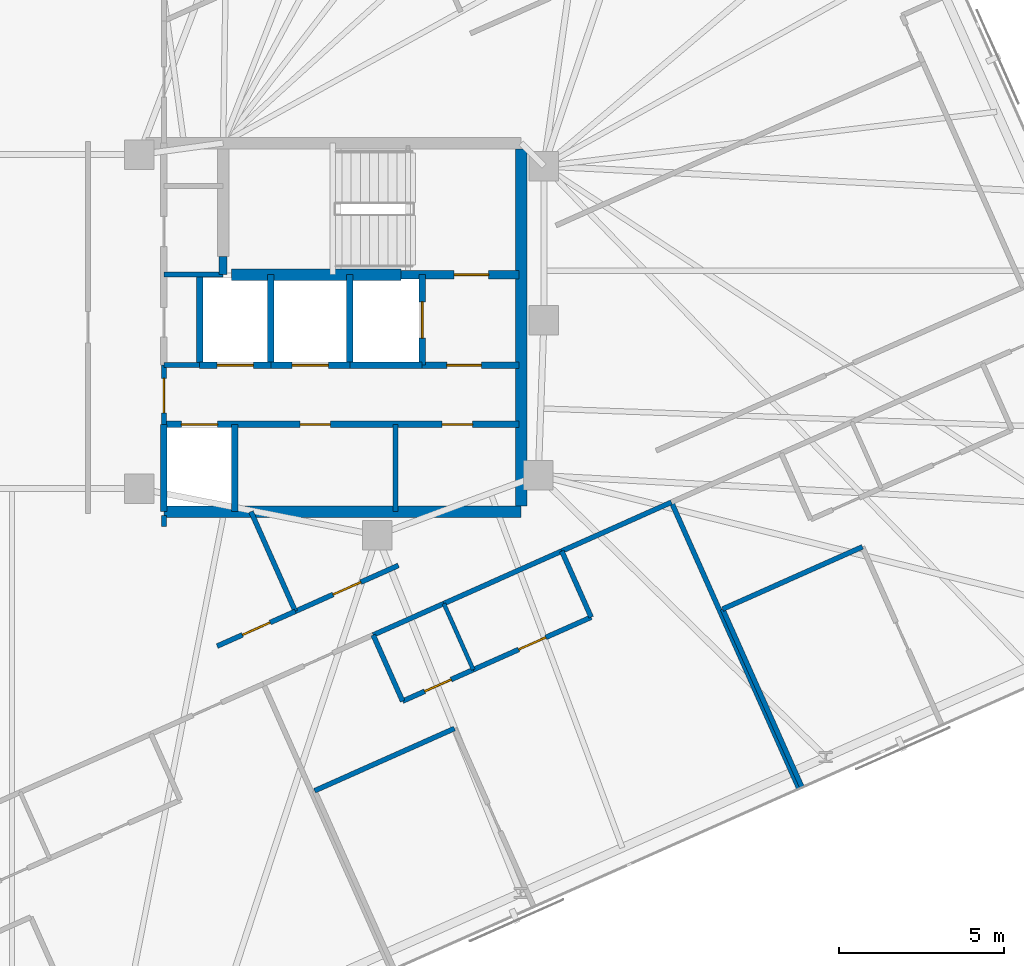
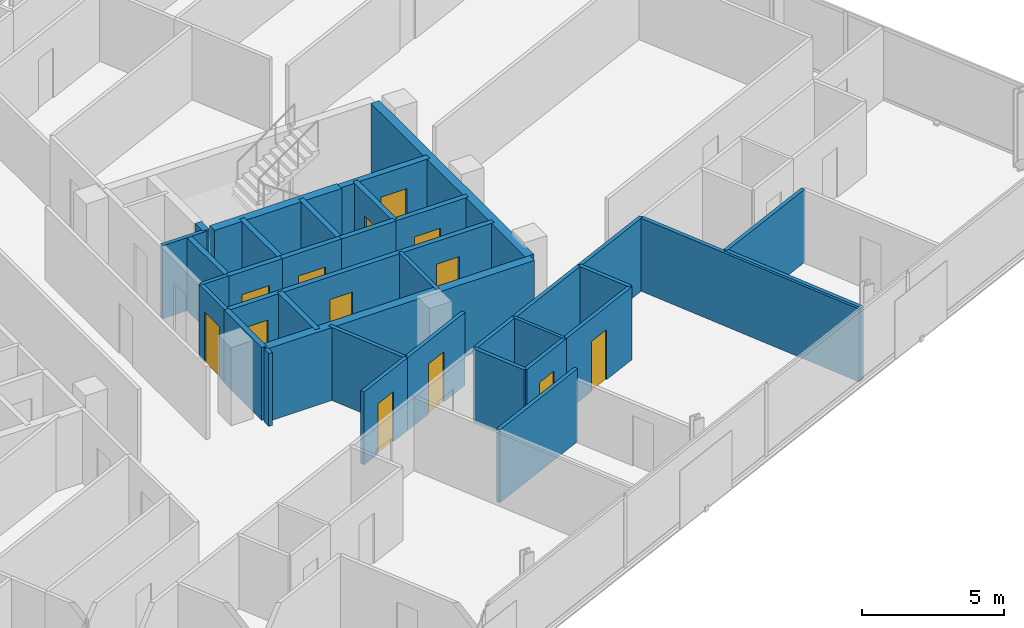
# One storey, part 15 of 19: 36 walls, 13 doors, 13 openings.
"""IFC4 building model written with IfcOpenShell, lengths in metres."""

from ifc_helpers import new_model, si_unit, direction, frame, frame_2d, origin, place, context, subcontext, project, spatial, rectangle, extrude, material, layer, layer_set, type_object, element, fill, save


model = new_model("IFC4")

# Units and contexts
model_context = context("Model", 3, precision=1e-05, world=origin(), true_north=direction((0.0, 1.0)))
body_context = subcontext(model_context, "Body", "Model", "MODEL_VIEW")
ifc_project = project(units=[si_unit("LENGTHUNIT", "METRE"), si_unit("AREAUNIT", "SQUARE_METRE"), si_unit("VOLUMEUNIT", "CUBIC_METRE"), si_unit("PLANEANGLEUNIT", "RADIAN"), si_unit("MASSUNIT", "GRAM", prefix="KILO")], contexts=[model_context])

# Site, building, storey
site_placement = place(None, origin())
site = spatial("IfcSite", under=ifc_project, at=site_placement, CompositionType="ELEMENT")
building_placement = place(site_placement, origin())
building = spatial("IfcBuilding", under=site, at=building_placement, Name="Menara Jurai Vektor", CompositionType="ELEMENT")
storey_placement = place(building_placement, frame((0.0, 0.0, 268.89990234375)))
storey = spatial("IfcBuildingStorey", under=building, at=storey_placement, Name="L72", CompositionType="ELEMENT", Elevation=268.89990234375)

# Wall, opening, door
ifc_material_1 = material(Name="Concrete C40/50", Category="concrete")
ifc_layer_1 = layer(ifc_material_1, 0.25)
ifc_layer_set_1 = layer_set([ifc_layer_1], Name="Concrete C40/50")
wall_type_1 = type_object("IfcWallType", Name="INT-WALL-CORE-250", PredefinedType="STANDARD", material=ifc_layer_set_1)
wall_1_placement = place(storey_placement, frame((10.89990234375, 1.60009765625, 0.0), z_axis=(0.0, 0.0, 1.0), x_axis=(1.0, 0.0, 0.0)))
wall_1 = element("IfcWall", 1, at=wall_1_placement, inside=storey, type_object=wall_type_1, Name="Interior Wall IW-250 L72", PredefinedType="STANDARD", context=body_context, shape_type="SweptSolid", body=[
    extrude(rectangle(XDim=3.60009765625, YDim=0.25, at=frame_2d((1.800048828125, 0.0))), origin(), (0.0, 0.0, 1.0), 3.125),
])
opening_1_placement = place(wall_1_placement, frame((1.6201171875, 0.0, 0.0)))
opening_1 = element("IfcOpeningElement", 2, at=opening_1_placement, cuts=wall_1, Name="Opening D-L72-ST2", PredefinedType="OPENING", context=body_context, shape_type="SweptSolid", body=[
    extrude(rectangle(XDim=1.050048828125, YDim=2.14990234375, at=frame_2d((0.52490234375, 1.074951171875))), frame((0.0, 0.135009765625, 0.0), z_axis=(0.0, -1.0, 0.0), x_axis=(1.0, 0.0, 0.0)), (0.0, 0.0, 1.0), 0.27001953125),
])
ifc_material_2 = material(Name="Fire-Rated Steel Door", Category="steel")
door_type_1 = type_object("IfcDoorType", Name="DR-STAIR-1050", OperationType="NOTDEFINED", PredefinedType="DOOR", material=ifc_material_2)
door_1_placement = place(opening_1_placement, origin())
door_1 = element("IfcDoor", 3, at=door_1_placement, inside=storey, type_object=door_type_1, Name="Exit Stair ST2 Door L72", OperationType="SINGLE_SWING_LEFT", OverallHeight=2.14990234375, OverallWidth=1.050048828125, PredefinedType="DOOR", context=body_context, shape_type="SweptSolid", body=[
    extrude(rectangle(XDim=1.050048828125, YDim=2.14990234375, at=frame_2d((0.52490234375, 1.074951171875))), frame((0.0, 0.02490234375, 0.0), z_axis=(0.0, -1.0, 0.0), x_axis=(1.0, 0.0, 0.0)), (0.0, 0.0, 1.0), 0.050048828125),
])
fill(opening_1, door_1)

# Wall
wall_2_placement = place(storey_placement, frame((5.5, 1.60009765625, 0.0), z_axis=(0.0, 0.0, 1.0), x_axis=(0.0, 1.0, 0.0)))
element("IfcWall", 4, at=wall_2_placement, inside=storey, type_object=wall_type_1, Name="Interior Wall IW-250 L72", PredefinedType="STANDARD", context=body_context, shape_type="SweptSolid", body=[
    extrude(rectangle(XDim=0.5498046875, YDim=0.25, at=frame_2d((0.27490234375, 0.0))), origin(), (0.0, 0.0, 1.0), 3.125),
])

# Wall, opening, door
wall_3_placement = place(storey_placement, frame((11.550048828125, -1.14990234375, 0.0), z_axis=(0.0, 0.0, 1.0), x_axis=(0.0, 1.0, 0.0)))
wall_3 = element("IfcWall", 5, at=wall_3_placement, inside=storey, type_object=wall_type_1, Name="Interior Wall IW-250 L72", PredefinedType="STANDARD", context=body_context, shape_type="SweptSolid", body=[
    extrude(rectangle(XDim=2.75, YDim=0.199951171875, at=frame_2d((1.375, 0.0))), origin(), (0.0, 0.0, 1.0), 3.125),
])
opening_2_placement = place(wall_3_placement, frame((0.824951171875, 0.0, 0.0)))
opening_2 = element("IfcOpeningElement", 6, at=opening_2_placement, cuts=wall_3, Name="Opening LD-L72-FL2", PredefinedType="OPENING", context=body_context, shape_type="SweptSolid", body=[
    extrude(rectangle(XDim=1.10009765625, YDim=2.14990234375, at=frame_2d((0.550048828125, 1.074951171875))), frame((0.0, 0.10986328125, 0.0), z_axis=(0.0, -1.0, 0.0), x_axis=(1.0, 0.0, 0.0)), (0.0, 0.0, 1.0), 0.219970703125),
])
ifc_material_3 = material(Name="Stainless Steel Sliding Lift Landing Door", Category="steel")
door_type_2 = type_object("IfcDoorType", Name="DR-LIFT-FIRE-1100", OperationType="NOTDEFINED", PredefinedType="DOOR", material=ifc_material_3)
door_2_placement = place(opening_2_placement, origin())
door_2 = element("IfcDoor", 7, at=door_2_placement, inside=storey, type_object=door_type_2, Name="Lift Landing Door FL2 L72", OperationType="SLIDING_TO_RIGHT", OverallHeight=2.14990234375, OverallWidth=1.10009765625, PredefinedType="DOOR", context=body_context, shape_type="SweptSolid", body=[
    extrude(rectangle(XDim=1.10009765625, YDim=2.14990234375, at=frame_2d((0.550048828125, 1.074951171875))), frame((0.0, 0.02490234375, 0.0), z_axis=(0.0, -1.0, 0.0), x_axis=(1.0, 0.0, 0.0)), (0.0, 0.0, 1.0), 0.050048828125),
])
fill(opening_2, door_2)

# Wall
wall_4_placement = place(storey_placement, frame((9.35009765625, -1.14990234375, 0.0), z_axis=(0.0, 0.0, 1.0), x_axis=(0.0, 1.0, 0.0)))
element("IfcWall", 8, at=wall_4_placement, inside=storey, type_object=wall_type_1, Name="Interior Wall IW-250 L72", PredefinedType="STANDARD", context=body_context, shape_type="SweptSolid", body=[
    extrude(rectangle(XDim=2.75, YDim=0.199951171875, at=frame_2d((1.375, 0.0))), origin(), (0.0, 0.0, 1.0), 3.125),
])

# Wall, opening, door
wall_5_placement = place(storey_placement, frame((11.550048828125, -1.14990234375, 0.0), z_axis=(0.0, 0.0, 1.0), x_axis=(1.0, 0.0, 0.0)))
wall_5 = element("IfcWall", 9, at=wall_5_placement, inside=storey, type_object=wall_type_1, Name="Interior Wall IW-250 L72", PredefinedType="STANDARD", context=body_context, shape_type="SweptSolid", body=[
    extrude(rectangle(XDim=2.949951171875, YDim=0.199951171875, at=frame_2d((1.47509765625, 0.0))), origin(), (0.0, 0.0, 1.0), 3.125),
])
opening_3_placement = place(wall_5_placement, frame((0.75, 0.0, 0.0)))
opening_3 = element("IfcOpeningElement", 10, at=opening_3_placement, cuts=wall_5, Name="Opening D-L72-FFE", PredefinedType="OPENING", context=body_context, shape_type="SweptSolid", body=[
    extrude(rectangle(XDim=1.050048828125, YDim=2.179931640625, at=frame_2d((0.52490234375, 1.08984375))), frame((0.0, 0.10986328125, 0.0), z_axis=(0.0, -1.0, 0.0), x_axis=(1.0, 0.0, 0.0)), (0.0, 0.0, 1.0), 0.219970703125),
])
ifc_material_4 = material(Name="Fire-Rated Timber Door", Category="wood")
door_type_3 = type_object("IfcDoorType", Name="DR-LOBBY-1050", OperationType="NOTDEFINED", PredefinedType="DOOR", material=ifc_material_4)
door_3_placement = place(opening_3_placement, origin())
door_3 = element("IfcDoor", 11, at=door_3_placement, inside=storey, type_object=door_type_3, Name="Fire Lift Lobby Door E L72", OperationType="SINGLE_SWING_LEFT", OverallHeight=2.179931640625, OverallWidth=1.050048828125, PredefinedType="DOOR", context=body_context, shape_type="SweptSolid", body=[
    extrude(rectangle(XDim=1.050048828125, YDim=2.179931640625, at=frame_2d((0.52490234375, 1.08984375))), frame((0.0, 0.02490234375, 0.0), z_axis=(0.0, -1.0, 0.0), x_axis=(1.0, 0.0, 0.0)), (0.0, 0.0, 1.0), 0.050048828125),
])
fill(opening_3, door_3)

# Wall
wall_6_placement = place(storey_placement, frame((9.35009765625, -1.14990234375, 0.0), z_axis=(0.0, 0.0, 1.0), x_axis=(1.0, 0.0, 0.0)))
element("IfcWall", 12, at=wall_6_placement, inside=storey, type_object=wall_type_1, Name="Interior Wall IW-250 L72", PredefinedType="STANDARD", context=body_context, shape_type="SweptSolid", body=[
    extrude(rectangle(XDim=2.199951171875, YDim=0.199951171875, at=frame_2d((1.10009765625, 0.0))), origin(), (0.0, 0.0, 1.0), 3.125),
])

# Wall, opening, door
ifc_material_5 = material(Name="Gypsum Fireboard Partition", Category="gypsum")
ifc_layer_2 = layer(ifc_material_5, 0.14990234375)
ifc_layer_set_2 = layer_set([ifc_layer_2], Name="Gypsum Fireboard Partition")
wall_type_2 = type_object("IfcWallType", Name="INT-WALL-CORR-150", PredefinedType="PARTITIONING", material=ifc_layer_set_2)
wall_7_placement = place(storey_placement, frame((3.699951171875, -2.949951171875, 0.0), z_axis=(0.0, 0.0, 1.0), x_axis=(0.0, 1.0, 0.0)))
wall_7 = element("IfcWall", 13, at=wall_7_placement, inside=storey, type_object=wall_type_2, Name="Interior Wall IW-150 L72", PredefinedType="PARTITIONING", context=body_context, shape_type="SweptSolid", body=[
    extrude(rectangle(XDim=1.800048828125, YDim=0.14990234375, at=frame_2d((0.89990234375, 0.0))), origin(), (0.0, 0.0, 1.0), 3.125),
])
opening_4_placement = place(wall_7_placement, frame((0.35009765625, 0.0, 0.0)))
opening_4 = element("IfcOpeningElement", 14, at=opening_4_placement, cuts=wall_7, Name="Opening D-L72-LLE", PredefinedType="OPENING", context=body_context, shape_type="SweptSolid", body=[
    extrude(rectangle(XDim=1.050048828125, YDim=2.179931640625, at=frame_2d((0.52490234375, 1.08984375))), frame((0.0, 0.0849609375, 0.0), z_axis=(0.0, -1.0, 0.0), x_axis=(1.0, 0.0, 0.0)), (0.0, 0.0, 1.0), 0.169921875),
])
door_4_placement = place(opening_4_placement, frame((1.050048828125, 0.0, 0.0), z_axis=(0.0, 0.0, 1.0), x_axis=(-1.0, 0.0, 0.0)))
door_4 = element("IfcDoor", 15, at=door_4_placement, inside=storey, type_object=door_type_3, Name="Lift Lobby Corridor Door E L72", OperationType="SINGLE_SWING_RIGHT", OverallHeight=2.179931640625, OverallWidth=1.050048828125, PredefinedType="DOOR", context=body_context, shape_type="SweptSolid", body=[
    extrude(rectangle(XDim=1.050048828125, YDim=2.179931640625, at=frame_2d((0.52490234375, 1.08984375))), frame((0.0, 0.02490234375, 0.0), z_axis=(0.0, -1.0, 0.0), x_axis=(1.0, 0.0, 0.0)), (0.0, 0.0, 1.0), 0.050048828125),
])
fill(opening_4, door_4)

# Walls
wall_8_placement = place(storey_placement, frame((3.699951171875, -1.14990234375, 0.0), z_axis=(0.0, 0.0, 1.0), x_axis=(1.0, 0.0, 0.0)))
element("IfcWall", 16, at=wall_8_placement, inside=storey, type_object=wall_type_2, Name="Interior Wall IW-150 L72", PredefinedType="PARTITIONING", context=body_context, shape_type="SweptSolid", body=[
    extrude(rectangle(XDim=1.090087890625, YDim=0.14990234375, at=frame_2d((0.544921875, 0.0))), origin(), (0.0, 0.0, 1.0), 3.125),
])
wall_9_placement = place(storey_placement, frame((10.739990234375, -5.60009765625, 0.0), z_axis=(0.0, 0.0, 1.0), x_axis=(0.0, 1.0, 0.0)))
element("IfcWall", 17, at=wall_9_placement, inside=storey, type_object=wall_type_2, Name="Interior Wall IW-150 L72", PredefinedType="PARTITIONING", context=body_context, shape_type="SweptSolid", body=[
    extrude(rectangle(XDim=2.650146484375, YDim=0.14990234375, at=frame_2d((1.3251953125, 0.0))), origin(), (0.0, 0.0, 1.0), 3.125),
])
wall_10_placement = place(storey_placement, frame((3.699951171875, 1.60009765625, 0.0), z_axis=(0.0, 0.0, 1.0), x_axis=(1.0, 0.0, 0.0)))
element("IfcWall", 18, at=wall_10_placement, inside=storey, type_object=wall_type_2, Name="Interior Wall IW-150 L72", PredefinedType="PARTITIONING", context=body_context, shape_type="SweptSolid", body=[
    extrude(rectangle(XDim=1.800048828125, YDim=0.14990234375, at=frame_2d((0.89990234375, 0.0))), origin(), (0.0, 0.0, 1.0), 3.125),
])
wall_11_placement = place(storey_placement, frame((15.790771484375, -6.798828125, 0.0), z_axis=(0.0, 0.0, 1.0), x_axis=(0.913543802, 0.40674036169, 0.0)))
element("IfcWall", 19, at=wall_11_placement, inside=storey, type_object=wall_type_2, Name="Interior Wall IW-150 L72", PredefinedType="PARTITIONING", context=body_context, shape_type="SweptSolid", body=[
    extrude(rectangle(XDim=3.650146484375, YDim=0.14990234375, at=frame_2d((1.8251953125, 0.0))), origin(), (0.0, 0.0, 1.0), 3.125),
])
wall_12_placement = place(storey_placement, frame((10.06103515625, -9.349853515625, 0.0), z_axis=(0.0, 0.0, 1.0), x_axis=(0.913558622212, 0.406707073682, 0.0)))
element("IfcWall", 20, at=wall_12_placement, inside=storey, type_object=wall_type_2, Name="Interior Wall IW-150 L72", PredefinedType="PARTITIONING", context=body_context, shape_type="SweptSolid", body=[
    extrude(rectangle(XDim=2.35009765625, YDim=0.14990234375, at=frame_2d((1.175048828125, 0.0))), origin(), (0.0, 0.0, 1.0), 3.125),
])
wall_13_placement = place(storey_placement, frame((12.2080078125, -8.39404296875, 0.0), z_axis=(0.0, 0.0, 1.0), x_axis=(0.913539234326, 0.406750620585, 0.0)))
element("IfcWall", 21, at=wall_13_placement, inside=storey, type_object=wall_type_2, Name="Interior Wall IW-150 L72", PredefinedType="PARTITIONING", context=body_context, shape_type="SweptSolid", body=[
    extrude(rectangle(XDim=3.921875, YDim=0.14990234375, at=frame_2d((1.9609375, 0.0))), origin(), (0.0, 0.0, 1.0), 3.125),
])

# Wall, opening, door
wall_14_placement = place(storey_placement, frame((5.319580078125, -9.6875, 0.0), z_axis=(0.0, 0.0, 1.0), x_axis=(0.913559784164, 0.406704463658, 0.0)))
wall_14 = element("IfcWall", 22, at=wall_14_placement, inside=storey, type_object=wall_type_2, Name="Interior Wall IW-150 L72", PredefinedType="PARTITIONING", context=body_context, shape_type="SweptSolid", body=[
    extrude(rectangle(XDim=2.60107421875, YDim=0.14990234375, at=frame_2d((1.300537109375, 0.0))), origin(), (0.0, 0.0, 1.0), 3.125),
])
opening_5_placement = place(wall_14_placement, frame((0.840576171875, 0.0, 0.0)))
opening_5 = element("IfcOpeningElement", 23, at=opening_5_placement, cuts=wall_14, Name="Opening D72-36", PredefinedType="OPENING", context=body_context, shape_type="SweptSolid", body=[
    extrude(rectangle(XDim=0.919921875, YDim=2.14990234375, at=frame_2d((0.4599609375, 1.074951171875))), frame((0.0, 0.0849609375, 0.0), z_axis=(0.0, -1.0, 0.0), x_axis=(1.0, 0.0, 0.0)), (0.0, 0.0, 1.0), 0.169921875),
])
ifc_material_6 = material(Name="Solid Core Timber Fire Door", Category="wood")
door_type_4 = type_object("IfcDoorType", Name="DR-ENTRY-950", OperationType="NOTDEFINED", PredefinedType="DOOR", material=ifc_material_6)
door_5_placement = place(opening_5_placement, origin())
door_5 = element("IfcDoor", 24, at=door_5_placement, inside=storey, type_object=door_type_4, Name="Interior Door D72-36", OperationType="SINGLE_SWING_RIGHT", OverallHeight=2.14990234375, OverallWidth=0.919921875, PredefinedType="DOOR", context=body_context, shape_type="SweptSolid", body=[
    extrude(rectangle(XDim=0.919921875, YDim=2.14990234375, at=frame_2d((0.4599609375, 1.074951171875))), frame((0.0, 0.02490234375, 0.0), z_axis=(0.0, -1.0, 0.0), x_axis=(1.0, 0.0, 0.0)), (0.0, 0.0, 1.0), 0.050048828125),
])
fill(opening_5, door_5)

# Wall
wall_15_placement = place(storey_placement, frame((3.699462890625, -6.048828125, 0.0), z_axis=(0.0, 0.0, 1.0), x_axis=(0.001476013152, 0.999998910692, 0.0)))
element("IfcWall", 25, at=wall_15_placement, inside=storey, type_object=wall_type_2, Name="Interior Wall IW-150 L72", PredefinedType="PARTITIONING", context=body_context, shape_type="SweptSolid", body=[
    extrude(rectangle(XDim=0.330810546875, YDim=0.14990234375, at=frame_2d((0.16552734375, 0.0))), origin(), (0.0, 0.0, 1.0), 3.125),
])

# Wall, opening, door
wall_16_placement = place(storey_placement, frame((7.69580078125, -8.629638671875, 0.0), z_axis=(0.0, 0.0, 1.0), x_axis=(0.913526514415, 0.406779187596, 0.0)))
wall_16 = element("IfcWall", 26, at=wall_16_placement, inside=storey, type_object=wall_type_2, Name="Interior Wall IW-150 L72", PredefinedType="PARTITIONING", context=body_context, shape_type="SweptSolid", body=[
    extrude(rectangle(XDim=3.4287109375, YDim=0.14990234375, at=frame_2d((1.71435546875, 0.0))), origin(), (0.0, 0.0, 1.0), 3.125),
])
opening_6_placement = place(wall_16_placement, frame((1.25439453125, 0.0, 0.0)))
opening_6 = element("IfcOpeningElement", 27, at=opening_6_placement, cuts=wall_16, Name="Opening D72-37", PredefinedType="OPENING", context=body_context, shape_type="SweptSolid", body=[
    extrude(rectangle(XDim=0.919921875, YDim=2.14990234375, at=frame_2d((0.4599609375, 1.074951171875))), frame((0.0, 0.0849609375, 0.0), z_axis=(0.0, -1.0, 0.0), x_axis=(1.0, 0.0, 0.0)), (0.0, 0.0, 1.0), 0.169921875),
])
door_6_placement = place(opening_6_placement, origin())
door_6 = element("IfcDoor", 28, at=door_6_placement, inside=storey, type_object=door_type_4, Name="Interior Door D72-37", OperationType="SINGLE_SWING_LEFT", OverallHeight=2.14990234375, OverallWidth=0.919921875, PredefinedType="DOOR", context=body_context, shape_type="SweptSolid", body=[
    extrude(rectangle(XDim=0.919921875, YDim=2.14990234375, at=frame_2d((0.4599609375, 1.074951171875))), frame((0.0, 0.02490234375, 0.0), z_axis=(0.0, -1.0, 0.0), x_axis=(1.0, 0.0, 0.0)), (0.0, 0.0, 1.0), 0.050048828125),
])
fill(opening_6, door_6)

# Wall
wall_17_placement = place(storey_placement, frame((10.955810546875, -11.359619140625, 0.0), z_axis=(0.0, 0.0, 1.0), x_axis=(-0.406725294076, 0.913550510459, 0.0)))
element("IfcWall", 29, at=wall_17_placement, inside=storey, type_object=wall_type_2, Name="Interior Wall IW-150 L72", PredefinedType="PARTITIONING", context=body_context, shape_type="SweptSolid", body=[
    extrude(rectangle(XDim=2.199951171875, YDim=0.14990234375, at=frame_2d((1.10009765625, 0.0))), origin(), (0.0, 0.0, 1.0), 3.125),
])

# Wall, opening, door
wall_18_placement = place(storey_placement, frame((10.955810546875, -11.359619140625, 0.0), z_axis=(0.0, 0.0, 1.0), x_axis=(0.913558622212, 0.406707073682, 0.0)))
wall_18 = element("IfcWall", 30, at=wall_18_placement, inside=storey, type_object=wall_type_2, Name="Interior Wall IW-150 L72", PredefinedType="PARTITIONING", context=body_context, shape_type="SweptSolid", body=[
    extrude(rectangle(XDim=2.35009765625, YDim=0.14990234375, at=frame_2d((1.175048828125, 0.0))), origin(), (0.0, 0.0, 1.0), 3.125),
])
opening_7_placement = place(wall_18_placement, frame((0.735107421875, 0.0, 0.0)))
opening_7 = element("IfcOpeningElement", 31, at=opening_7_placement, cuts=wall_18, Name="Opening D72-25", PredefinedType="OPENING", context=body_context, shape_type="SweptSolid", body=[
    extrude(rectangle(XDim=0.8798828125, YDim=2.14990234375, at=frame_2d((0.43994140625, 1.074951171875))), frame((0.0, 0.0849609375, 0.0), z_axis=(0.0, -1.0, 0.0), x_axis=(1.0, 0.0, 0.0)), (0.0, 0.0, 1.0), 0.169921875),
])
ifc_material_7 = material(Name="Moisture-Resistant Timber Door", Category="wood")
door_type_5 = type_object("IfcDoorType", Name="DR-BATH-880", OperationType="NOTDEFINED", PredefinedType="DOOR", material=ifc_material_7)
door_7_placement = place(opening_7_placement, origin())
door_7 = element("IfcDoor", 32, at=door_7_placement, inside=storey, type_object=door_type_5, Name="Interior Door D72-25", OperationType="SINGLE_SWING_LEFT", OverallHeight=2.14990234375, OverallWidth=0.8798828125, PredefinedType="DOOR", context=body_context, shape_type="SweptSolid", body=[
    extrude(rectangle(XDim=0.8798828125, YDim=2.14990234375, at=frame_2d((0.43994140625, 1.074951171875))), frame((0.0, 0.02490234375, 0.0), z_axis=(0.0, -1.0, 0.0), x_axis=(1.0, 0.0, 0.0)), (0.0, 0.0, 1.0), 0.050048828125),
])
fill(opening_7, door_7)

wall_19_placement = place(storey_placement, frame((13.102783203125, -10.40380859375, 0.0), z_axis=(0.0, 0.0, 1.0), x_axis=(0.913549532696, 0.406727490232, 0.0)))
wall_19 = element("IfcWall", 33, at=wall_19_placement, inside=storey, type_object=wall_type_2, Name="Interior Wall IW-150 L72", PredefinedType="PARTITIONING", context=body_context, shape_type="SweptSolid", body=[
    extrude(rectangle(XDim=3.922119140625, YDim=0.14990234375, at=frame_2d((1.9609375, 0.0))), origin(), (0.0, 0.0, 1.0), 3.125),
])
opening_8_placement = place(wall_19_placement, frame((1.510986328125, 0.0, 0.0)))
opening_8 = element("IfcOpeningElement", 34, at=opening_8_placement, cuts=wall_19, Name="Opening D72-26", PredefinedType="OPENING", context=body_context, shape_type="SweptSolid", body=[
    extrude(rectangle(XDim=0.89990234375, YDim=2.14990234375, at=frame_2d((0.449951171875, 1.074951171875))), frame((0.0, 0.0849609375, 0.0), z_axis=(0.0, -1.0, 0.0), x_axis=(1.0, 0.0, 0.0)), (0.0, 0.0, 1.0), 0.169921875),
])
ifc_material_8 = material(Name="Acoustic Timber Interior Door", Category="wood")
door_type_6 = type_object("IfcDoorType", Name="DR-ROOM-900", OperationType="NOTDEFINED", PredefinedType="DOOR", material=ifc_material_8)
door_8_placement = place(opening_8_placement, origin())
door_8 = element("IfcDoor", 35, at=door_8_placement, inside=storey, type_object=door_type_6, Name="Interior Door D72-26", OperationType="SINGLE_SWING_RIGHT", OverallHeight=2.14990234375, OverallWidth=0.89990234375, PredefinedType="DOOR", context=body_context, shape_type="SweptSolid", body=[
    extrude(rectangle(XDim=0.89990234375, YDim=2.14990234375, at=frame_2d((0.449951171875, 1.074951171875))), frame((0.0, 0.02490234375, 0.0), z_axis=(0.0, -1.0, 0.0), x_axis=(1.0, 0.0, 0.0)), (0.0, 0.0, 1.0), 0.050048828125),
])
fill(opening_8, door_8)

# Walls
wall_20_placement = place(storey_placement, frame((16.685791015625, -8.80859375, 0.0), z_axis=(0.0, 0.0, 1.0), x_axis=(-0.406817905151, 0.913509273105, 0.0)))
element("IfcWall", 36, at=wall_20_placement, inside=storey, type_object=wall_type_2, Name="Interior Wall IW-150 L72", PredefinedType="PARTITIONING", context=body_context, shape_type="SweptSolid", body=[
    extrude(rectangle(XDim=2.199951171875, YDim=0.14990234375, at=frame_2d((1.10009765625, 0.0))), origin(), (0.0, 0.0, 1.0), 3.125),
])
wall_21_placement = place(storey_placement, frame((8.2822265625, -14.08251953125, 0.0), z_axis=(0.0, 0.0, 1.0), x_axis=(0.91354505039, 0.40673755778, 0.0)))
element("IfcWall", 37, at=wall_21_placement, inside=storey, type_object=wall_type_2, Name="Interior Wall IW-150 L72", PredefinedType="PARTITIONING", context=body_context, shape_type="SweptSolid", body=[
    extrude(rectangle(XDim=4.650146484375, YDim=0.14990234375, at=frame_2d((2.3251953125, 0.0))), origin(), (0.0, 0.0, 1.0), 3.125),
])
wall_22_placement = place(storey_placement, frame((23.00341796875, -14.02490234375, 0.0), z_axis=(0.0, 0.0, 1.0), x_axis=(-0.406729927653, 0.913548447512, 0.0)))
element("IfcWall", 38, at=wall_22_placement, inside=storey, type_object=wall_type_2, Name="Interior Wall IW-150 L72", PredefinedType="PARTITIONING", context=body_context, shape_type="SweptSolid", body=[
    extrude(rectangle(XDim=9.534912109375, YDim=0.14990234375, at=frame_2d((4.767578125, 0.0))), origin(), (0.0, 0.0, 1.0), 3.125),
])
wall_23_placement = place(storey_placement, frame((23.094970703125, -13.984130859375, 0.0), z_axis=(0.0, 0.0, 1.0), x_axis=(-0.406749048544, 0.913539934271, 0.0)))
element("IfcWall", 39, at=wall_23_placement, inside=storey, type_object=wall_type_2, Name="Interior Wall IW-150 L72", PredefinedType="PARTITIONING", context=body_context, shape_type="SweptSolid", body=[
    extrude(rectangle(XDim=5.93505859375, YDim=0.14990234375, at=frame_2d((2.967529296875, 0.0))), origin(), (0.0, 0.0, 1.0), 3.125),
])
wall_24_placement = place(storey_placement, frame((20.680908203125, -8.562255859375, 0.0), z_axis=(0.0, 0.0, 1.0), x_axis=(0.91354505039, 0.40673755778, 0.0)))
element("IfcWall", 40, at=wall_24_placement, inside=storey, type_object=wall_type_2, Name="Interior Wall IW-150 L72", PredefinedType="PARTITIONING", context=body_context, shape_type="SweptSolid", body=[
    extrude(rectangle(XDim=4.650146484375, YDim=0.14990234375, at=frame_2d((2.3251953125, 0.0))), origin(), (0.0, 0.0, 1.0), 3.125),
])
wall_25_placement = place(storey_placement, frame((7.69580078125, -8.629638671875, 0.0), z_axis=(0.0, 0.0, 1.0), x_axis=(-0.406773661192, 0.913528975217, 0.0)))
element("IfcWall", 41, at=wall_25_placement, inside=storey, type_object=wall_type_2, Name="Interior Wall IW-150 L72", PredefinedType="PARTITIONING", context=body_context, shape_type="SweptSolid", body=[
    extrude(rectangle(XDim=3.31591796875, YDim=0.14990234375, at=frame_2d((1.657958984375, 0.0))), origin(), (0.0, 0.0, 1.0), 3.125),
])
ifc_material_9 = material(Name="Gypsum Acoustic Stud Partition", Category="gypsum")
ifc_layer_3 = layer(ifc_material_9, 0.1201171875)
ifc_layer_set_3 = layer_set([ifc_layer_3], Name="Gypsum Acoustic Stud Partition")
wall_type_3 = type_object("IfcWallType", Name="INT-WALL-PART-120", PredefinedType="PARTITIONING", material=ifc_layer_set_3)
wall_26_placement = place(storey_placement, frame((13.102783203125, -10.40380859375, 0.0), z_axis=(0.0, 0.0, 1.0), x_axis=(-0.406725294076, 0.913550510459, 0.0)))
element("IfcWall", 42, at=wall_26_placement, inside=storey, type_object=wall_type_3, Name="Interior Wall IW-120 L72", PredefinedType="PARTITIONING", context=body_context, shape_type="SweptSolid", body=[
    extrude(rectangle(XDim=2.199951171875, YDim=0.1201171875, at=frame_2d((1.10009765625, 0.0))), origin(), (0.0, 0.0, 1.0), 3.125),
])
ifc_layer_4 = layer(ifc_material_1, 0.199951171875)
ifc_layer_set_4 = layer_set([ifc_layer_4], Name="Concrete C40/50")
wall_type_4 = type_object("IfcWallType", Name="INT-WALL-SHAFT-200", PredefinedType="STANDARD", material=ifc_layer_set_4)
wall_27_placement = place(storey_placement, frame((3.699951171875, -5.60009765625, 0.0), z_axis=(0.0, 0.0, 1.0), x_axis=(0.0, 1.0, 0.0)))
element("IfcWall", 43, at=wall_27_placement, inside=storey, type_object=wall_type_4, Name="Interior Wall IW-200 L72", PredefinedType="STANDARD", context=body_context, shape_type="SweptSolid", body=[
    extrude(rectangle(XDim=2.650146484375, YDim=0.199951171875, at=frame_2d((1.3251953125, 0.0))), origin(), (0.0, 0.0, 1.0), 3.125),
])
wall_28_placement = place(storey_placement, frame((6.949951171875, -1.14990234375, 0.0), z_axis=(0.0, 0.0, 1.0), x_axis=(0.0, 1.0, 0.0)))
element("IfcWall", 44, at=wall_28_placement, inside=storey, type_object=wall_type_4, Name="Interior Wall IW-200 L72", PredefinedType="STANDARD", context=body_context, shape_type="SweptSolid", body=[
    extrude(rectangle(XDim=2.75, YDim=0.199951171875, at=frame_2d((1.375, 0.0))), origin(), (0.0, 0.0, 1.0), 3.125),
])

# Wall, opening, door
wall_29_placement = place(storey_placement, frame((6.949951171875, -1.14990234375, 0.0), z_axis=(0.0, 0.0, 1.0), x_axis=(1.0, 0.0, 0.0)))
wall_29 = element("IfcWall", 45, at=wall_29_placement, inside=storey, type_object=wall_type_4, Name="Interior Wall IW-200 L72", PredefinedType="STANDARD", context=body_context, shape_type="SweptSolid", body=[
    extrude(rectangle(XDim=2.400146484375, YDim=0.199951171875, at=frame_2d((1.2001953125, 0.0))), origin(), (0.0, 0.0, 1.0), 3.125),
])
opening_9_placement = place(wall_29_placement, frame((0.64990234375, 0.0, 0.0)))
opening_9 = element("IfcOpeningElement", 46, at=opening_9_placement, cuts=wall_29, Name="Opening LD-L72-SVL2", PredefinedType="OPENING", context=body_context, shape_type="SweptSolid", body=[
    extrude(rectangle(XDim=1.10009765625, YDim=2.14990234375, at=frame_2d((0.550048828125, 1.074951171875))), frame((0.0, 0.10986328125, 0.0), z_axis=(0.0, -1.0, 0.0), x_axis=(1.0, 0.0, 0.0)), (0.0, 0.0, 1.0), 0.219970703125),
])
ifc_material_10 = material(Name="Anodised Stainless Sliding Lift Landing Door", Category="steel")
door_type_7 = type_object("IfcDoorType", Name="DR-LIFT-PASS-1100", OperationType="NOTDEFINED", PredefinedType="DOOR", material=ifc_material_10)
door_9_placement = place(opening_9_placement, origin())
door_9 = element("IfcDoor", 47, at=door_9_placement, inside=storey, type_object=door_type_7, Name="Lift Landing Door SVL2 L72", OperationType="SLIDING_TO_RIGHT", OverallHeight=2.14990234375, OverallWidth=1.10009765625, PredefinedType="DOOR", context=body_context, shape_type="SweptSolid", body=[
    extrude(rectangle(XDim=1.10009765625, YDim=2.14990234375, at=frame_2d((0.550048828125, 1.074951171875))), frame((0.0, 0.02490234375, 0.0), z_axis=(0.0, -1.0, 0.0), x_axis=(1.0, 0.0, 0.0)), (0.0, 0.0, 1.0), 0.050048828125),
])
fill(opening_9, door_9)

# Wall
wall_30_placement = place(storey_placement, frame((4.7900390625, -1.14990234375, 0.0), z_axis=(0.0, 0.0, 1.0), x_axis=(0.0, 1.0, 0.0)))
element("IfcWall", 48, at=wall_30_placement, inside=storey, type_object=wall_type_4, Name="Interior Wall IW-200 L72", PredefinedType="STANDARD", context=body_context, shape_type="SweptSolid", body=[
    extrude(rectangle(XDim=2.75, YDim=0.199951171875, at=frame_2d((1.375, 0.0))), origin(), (0.0, 0.0, 1.0), 3.125),
])

# Wall, opening, door
wall_31_placement = place(storey_placement, frame((4.7900390625, -1.14990234375, 0.0), z_axis=(0.0, 0.0, 1.0), x_axis=(1.0, 0.0, 0.0)))
wall_31 = element("IfcWall", 49, at=wall_31_placement, inside=storey, type_object=wall_type_4, Name="Interior Wall IW-200 L72", PredefinedType="STANDARD", context=body_context, shape_type="SweptSolid", body=[
    extrude(rectangle(XDim=2.159912109375, YDim=0.199951171875, at=frame_2d((1.080078125, 0.0))), origin(), (0.0, 0.0, 1.0), 3.125),
])
opening_10_placement = place(wall_31_placement, frame((0.530029296875, 0.0, 0.0)))
opening_10 = element("IfcOpeningElement", 50, at=opening_10_placement, cuts=wall_31, Name="Opening LD-L72-PH4", PredefinedType="OPENING", context=body_context, shape_type="SweptSolid", body=[
    extrude(rectangle(XDim=1.10009765625, YDim=2.14990234375, at=frame_2d((0.550048828125, 1.074951171875))), frame((0.0, 0.10986328125, 0.0), z_axis=(0.0, -1.0, 0.0), x_axis=(1.0, 0.0, 0.0)), (0.0, 0.0, 1.0), 0.219970703125),
])
door_10_placement = place(opening_10_placement, origin())
door_10 = element("IfcDoor", 51, at=door_10_placement, inside=storey, type_object=door_type_7, Name="Lift Landing Door PH4 L72", OperationType="SLIDING_TO_LEFT", OverallHeight=2.14990234375, OverallWidth=1.10009765625, PredefinedType="DOOR", context=body_context, shape_type="SweptSolid", body=[
    extrude(rectangle(XDim=1.10009765625, YDim=2.14990234375, at=frame_2d((0.550048828125, 1.074951171875))), frame((0.0, 0.02490234375, 0.0), z_axis=(0.0, -1.0, 0.0), x_axis=(1.0, 0.0, 0.0)), (0.0, 0.0, 1.0), 0.050048828125),
])
fill(opening_10, door_10)

# Wall, openings, doors
wall_32_placement = place(storey_placement, frame((3.699951171875, -2.949951171875, 0.0), z_axis=(0.0, 0.0, 1.0), x_axis=(1.0, 0.0, 0.0)))
wall_32 = element("IfcWall", 52, at=wall_32_placement, inside=storey, type_object=wall_type_4, Name="Interior Wall IW-200 L72", PredefinedType="STANDARD", context=body_context, shape_type="SweptSolid", body=[
    extrude(rectangle(XDim=10.800048828125, YDim=0.199951171875, at=frame_2d((5.39990234375, 0.0))), origin(), (0.0, 0.0, 1.0), 3.125),
])
opening_11_placement = place(wall_32_placement, frame((0.530029296875, 0.0, 0.0)))
opening_11 = element("IfcOpeningElement", 53, at=opening_11_placement, cuts=wall_32, Name="Opening LD-L72-PH3", PredefinedType="OPENING", context=body_context, shape_type="SweptSolid", body=[
    extrude(rectangle(XDim=1.10009765625, YDim=2.14990234375, at=frame_2d((0.550048828125, 1.074951171875))), frame((0.0, 0.10986328125, 0.0), z_axis=(0.0, -1.0, 0.0), x_axis=(1.0, 0.0, 0.0)), (0.0, 0.0, 1.0), 0.219970703125),
])
opening_12_placement = place(wall_32_placement, frame((4.139892578125, 0.0, 0.0)))
opening_12 = element("IfcOpeningElement", 54, at=opening_12_placement, cuts=wall_32, Name="Opening D72-05", PredefinedType="OPENING", context=body_context, shape_type="SweptSolid", body=[
    extrude(rectangle(XDim=0.919921875, YDim=2.14990234375, at=frame_2d((0.4599609375, 1.074951171875))), frame((0.0, 0.10986328125, 0.0), z_axis=(0.0, -1.0, 0.0), x_axis=(1.0, 0.0, 0.0)), (0.0, 0.0, 1.0), 0.219970703125),
])
opening_13_placement = place(wall_32_placement, frame((8.4599609375, 0.0, 0.0)))
opening_13 = element("IfcOpeningElement", 55, at=opening_13_placement, cuts=wall_32, Name="Opening D72-06", PredefinedType="OPENING", context=body_context, shape_type="SweptSolid", body=[
    extrude(rectangle(XDim=0.919921875, YDim=2.14990234375, at=frame_2d((0.4599609375, 1.074951171875))), frame((0.0, 0.10986328125, 0.0), z_axis=(0.0, -1.0, 0.0), x_axis=(1.0, 0.0, 0.0)), (0.0, 0.0, 1.0), 0.219970703125),
])
door_11_placement = place(opening_12_placement, origin())
door_11 = element("IfcDoor", 56, at=door_11_placement, inside=storey, type_object=door_type_4, Name="Interior Door D72-05", OperationType="SINGLE_SWING_LEFT", OverallHeight=2.14990234375, OverallWidth=0.919921875, PredefinedType="DOOR", context=body_context, shape_type="SweptSolid", body=[
    extrude(rectangle(XDim=0.919921875, YDim=2.14990234375, at=frame_2d((0.4599609375, 1.074951171875))), frame((0.0, 0.02490234375, 0.0), z_axis=(0.0, -1.0, 0.0), x_axis=(1.0, 0.0, 0.0)), (0.0, 0.0, 1.0), 0.050048828125),
])
fill(opening_12, door_11)
door_12_placement = place(opening_13_placement, origin())
door_12 = element("IfcDoor", 57, at=door_12_placement, inside=storey, type_object=door_type_4, Name="Interior Door D72-06", OperationType="SINGLE_SWING_RIGHT", OverallHeight=2.14990234375, OverallWidth=0.919921875, PredefinedType="DOOR", context=body_context, shape_type="SweptSolid", body=[
    extrude(rectangle(XDim=0.919921875, YDim=2.14990234375, at=frame_2d((0.4599609375, 1.074951171875))), frame((0.0, 0.02490234375, 0.0), z_axis=(0.0, -1.0, 0.0), x_axis=(1.0, 0.0, 0.0)), (0.0, 0.0, 1.0), 0.050048828125),
])
fill(opening_13, door_12)
door_13_placement = place(opening_11_placement, origin())
door_13 = element("IfcDoor", 58, at=door_13_placement, inside=storey, type_object=door_type_7, Name="Lift Landing Door PH3 L72", OperationType="SLIDING_TO_RIGHT", OverallHeight=2.14990234375, OverallWidth=1.10009765625, PredefinedType="DOOR", context=body_context, shape_type="SweptSolid", body=[
    extrude(rectangle(XDim=1.10009765625, YDim=2.14990234375, at=frame_2d((0.550048828125, 1.074951171875))), frame((0.0, 0.02490234375, 0.0), z_axis=(0.0, -1.0, 0.0), x_axis=(1.0, 0.0, 0.0)), (0.0, 0.0, 1.0), 0.050048828125),
])
fill(opening_11, door_13)

# Walls
wall_33_placement = place(storey_placement, frame((5.860107421875, -5.60009765625, 0.0), z_axis=(0.0, 0.0, 1.0), x_axis=(0.0, 1.0, 0.0)))
element("IfcWall", 59, at=wall_33_placement, inside=storey, type_object=wall_type_4, Name="Interior Wall IW-200 L72", PredefinedType="STANDARD", context=body_context, shape_type="SweptSolid", body=[
    extrude(rectangle(XDim=2.650146484375, YDim=0.199951171875, at=frame_2d((1.3251953125, 0.0))), origin(), (0.0, 0.0, 1.0), 3.125),
])
ifc_material_11 = material(Name="Concrete C50/60", Category="concrete")
ifc_layer_5 = layer(ifc_material_11, 0.35009765625)
ifc_layer_set_5 = layer_set([ifc_layer_5], Name="Concrete C50/60")
wall_type_5 = type_object("IfcWallType", Name="STR-WALL-CORE350", PredefinedType="SHEAR", material=ifc_layer_set_5)
wall_34_placement = place(storey_placement, frame((3.699951171875, -5.60009765625, 0.0), z_axis=(0.0, 0.0, 1.0), x_axis=(1.0, 0.0, 0.0)))
element("IfcWall", 60, at=wall_34_placement, inside=storey, type_object=wall_type_5, Name="Core Shear Wall CW-E-S L72", PredefinedType="SHEAR", context=body_context, shape_type="SweptSolid", body=[
    extrude(rectangle(XDim=10.860107421875, YDim=0.35009765625, at=frame_2d((5.43017578125, 0.0))), origin(), (0.0, 0.0, 1.0), 3.125),
])
wall_35_placement = place(storey_placement, frame((14.56005859375, -5.425048828125, 0.0), z_axis=(0.0, 0.0, 1.0), x_axis=(0.0, 1.0, 0.0)))
element("IfcWall", 61, at=wall_35_placement, inside=storey, type_object=wall_type_5, Name="Core Shear Wall CW-E-E L72", PredefinedType="SHEAR", context=body_context, shape_type="SweptSolid", body=[
    extrude(rectangle(XDim=10.85009765625, YDim=0.35009765625, at=frame_2d((5.425048828125, 0.0))), origin(), (0.0, 0.0, 1.0), 3.125),
])
wall_36_placement = place(storey_placement, frame((5.75, 1.60009765625, 0.0), z_axis=(0.0, 0.0, 1.0), x_axis=(1.0, 0.0, 0.0)))
element("IfcWall", 62, at=wall_36_placement, inside=storey, type_object=wall_type_5, Name="Core Shear Wall CW-E-STS L72", PredefinedType="SHEAR", context=body_context, shape_type="SweptSolid", body=[
    extrude(rectangle(XDim=5.14990234375, YDim=0.35009765625, at=frame_2d((2.574951171875, 0.0))), origin(), (0.0, 0.0, 1.0), 3.125),
])

save(model, "model.ifc")
